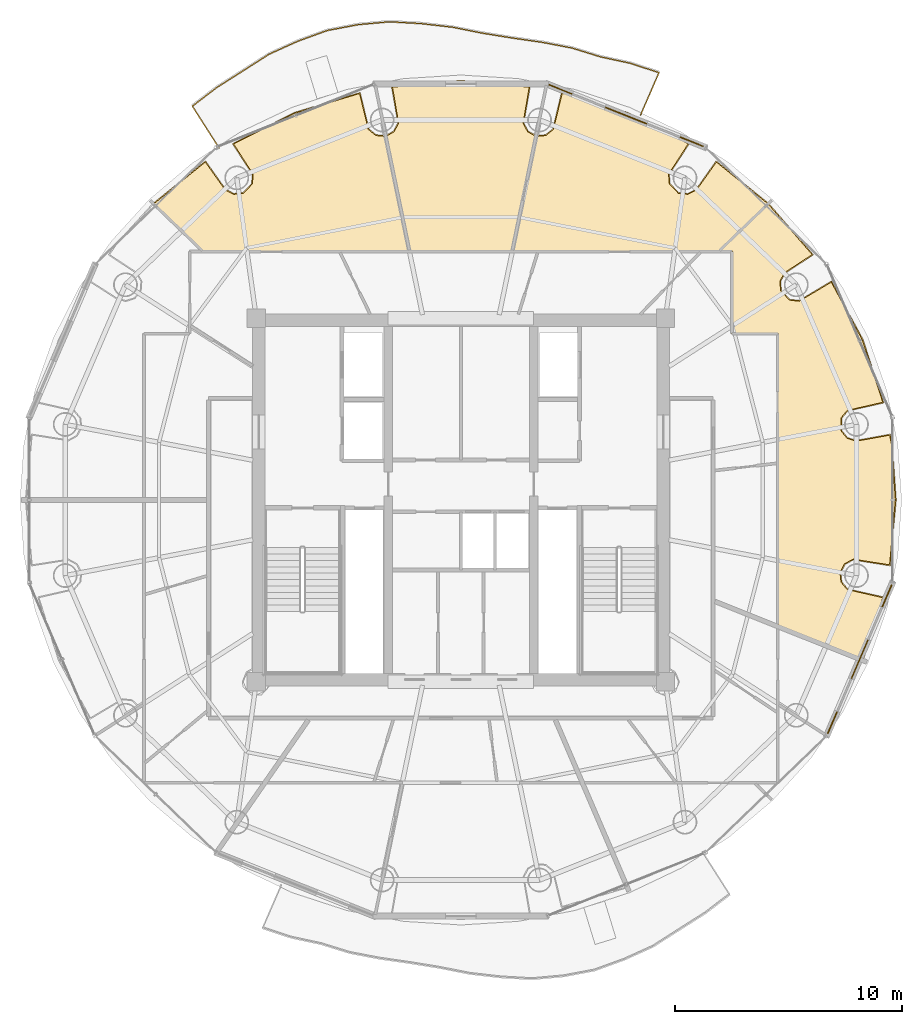
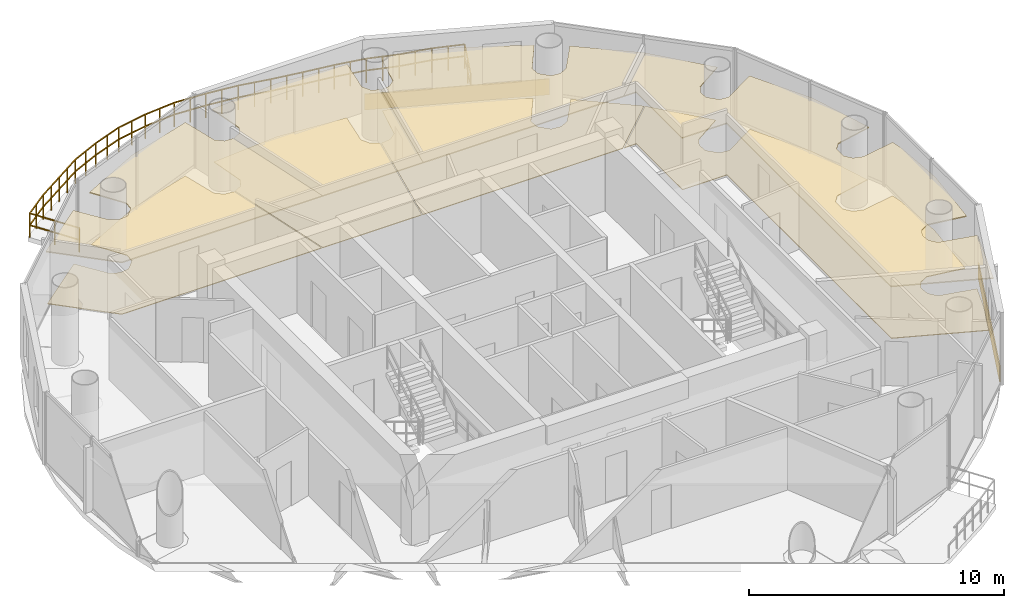
# One storey, part 24 of 24: 10 coverings, 1 railing.
"""IFC4 building model written with IfcOpenShell, lengths in metres."""

from ifc_helpers import new_model, si_unit, direction, frame, origin, origin_2d, place, context, subcontext, project, spatial, polyline, rectangle, outline, extrude, source, transform, mapped, material, layer, layer_set, type_object, element, save


model = new_model("IFC4")

# Units and contexts
model_context = context("Model", 3, precision=1e-05, world=origin(), true_north=direction((-0.2419218956, 0.970295726276)))
body_context = subcontext(model_context, "Body", "Model", "MODEL_VIEW")
ifc_project = project(units=[si_unit("LENGTHUNIT", "METRE"), si_unit("AREAUNIT", "SQUARE_METRE"), si_unit("VOLUMEUNIT", "CUBIC_METRE"), si_unit("PLANEANGLEUNIT", "RADIAN"), si_unit("MASSUNIT", "GRAM", prefix="KILO")], contexts=[model_context])

# Site, building, storey
site_placement = place(None, origin())
site = spatial("IfcSite", under=ifc_project, at=site_placement, CompositionType="ELEMENT")
building_placement = place(site_placement, origin())
building = spatial("IfcBuilding", under=site, at=building_placement, Name="Cobrevalo Terracotta Tower", CompositionType="ELEMENT")
storey_placement = place(building_placement, frame((0.0, 0.0, 278.199951171875)))
storey = spatial("IfcBuildingStorey", under=building, at=storey_placement, Name="L73", CompositionType="ELEMENT", Elevation=278.199951171875)

# Railing
ifc_material_1 = material(Name="Laminated structural glass and stainless steel", Category="steel")
railing_type = type_object("IfcRailingType", Name="Balcony lobe structural glass & terracotta-cap balustrade 1180 mm", PredefinedType="BALUSTRADE", material=ifc_material_1)
railing_placement = place(storey_placement, frame((45.912353515625, 43.744873046875, 0.0)))
element("IfcRailing", 1, at=railing_placement, inside=storey, type_object=railing_type, Name="L73 spiralling balcony lobe balustrade 1", PredefinedType="BALUSTRADE", context=body_context, shape_type="SweptSolid", body=[
    extrude(rectangle(XDim=0.048095703125, YDim=0.048095703125, at=origin_2d()), frame((0.0, 0.0, 1.15576171875), z_axis=(0.398087380581, 0.917347500908, 0.0), x_axis=(-0.917347500908, 0.398087380581, 0.0)), (0.0, 0.0, 1.0), 2.02685546875),
    extrude(rectangle(XDim=0.048095703125, YDim=0.048095703125, at=origin_2d()), frame((0.0, 0.0, 0.58984375), z_axis=(0.398087380581, 0.917347500908, 0.0), x_axis=(-0.917347500908, 0.398087380581, 0.0)), (0.0, 0.0, 1.0), 2.02685546875),
    extrude(rectangle(XDim=0.048095703125, YDim=0.048095703125, at=origin_2d()), frame((0.806884765625, 1.859375, 1.15576171875), z_axis=(-0.950321189707, 0.311271001531, 0.0), x_axis=(-0.311271001531, -0.950321189707, 0.0)), (0.0, 0.0, 1.0), 1.3310546875),
    extrude(rectangle(XDim=0.048095703125, YDim=0.048095703125, at=origin_2d()), frame((0.806884765625, 1.859375, 0.58984375), z_axis=(-0.950321189707, 0.311271001531, 0.0), x_axis=(-0.311271001531, -0.950321189707, 0.0)), (0.0, 0.0, 1.0), 1.3310546875),
    extrude(rectangle(XDim=0.048095703125, YDim=0.048095703125, at=origin_2d()), frame((-0.4580078125, 2.273681640625, 1.15576171875), z_axis=(-0.977571341188, 0.21060454147, 0.0), x_axis=(-0.21060454147, -0.977571341188, 0.0)), (0.0, 0.0, 1.0), 1.3330078125),
    extrude(rectangle(XDim=0.048095703125, YDim=0.048095703125, at=origin_2d()), frame((-0.4580078125, 2.273681640625, 0.58984375), z_axis=(-0.977571341188, 0.21060454147, 0.0), x_axis=(-0.21060454147, -0.977571341188, 0.0)), (0.0, 0.0, 1.0), 1.3330078125),
    extrude(rectangle(XDim=0.048095703125, YDim=0.048095703125, at=origin_2d()), frame((-1.76123046875, 2.554443359375, 1.15576171875), z_axis=(-0.955463212441, 0.295110233087, 0.0), x_axis=(-0.295110233087, -0.955463212441, 0.0)), (0.0, 0.0, 1.0), 1.32275390625),
    extrude(rectangle(XDim=0.048095703125, YDim=0.048095703125, at=origin_2d()), frame((-1.76123046875, 2.554443359375, 0.58984375), z_axis=(-0.955463212441, 0.295110233087, 0.0), x_axis=(-0.295110233087, -0.955463212441, 0.0)), (0.0, 0.0, 1.0), 1.32275390625),
    extrude(rectangle(XDim=0.048095703125, YDim=0.048095703125, at=origin_2d()), frame((-3.025146484375, 2.94482421875, 1.15576171875), z_axis=(-0.982058898368, 0.188574441894, 0.0), x_axis=(-0.188574441894, -0.982058898368, 0.0)), (0.0, 0.0, 1.0), 1.3271484375),
    extrude(rectangle(XDim=0.048095703125, YDim=0.048095703125, at=origin_2d()), frame((-3.025146484375, 2.94482421875, 0.58984375), z_axis=(-0.982058898368, 0.188574441894, 0.0), x_axis=(-0.188574441894, -0.982058898368, 0.0)), (0.0, 0.0, 1.0), 1.3271484375),
    extrude(rectangle(XDim=0.048095703125, YDim=0.048095703125, at=origin_2d()), frame((-4.328369140625, 3.195068359375, 1.15576171875), z_axis=(-0.989831224707, 0.142246780617, 0.0), x_axis=(-0.142246780617, -0.989831224707, 0.0)), (0.0, 0.0, 1.0), 1.324951171875),
    extrude(rectangle(XDim=0.048095703125, YDim=0.048095703125, at=origin_2d()), frame((-4.328369140625, 3.195068359375, 0.58984375), z_axis=(-0.989831224707, 0.142246780617, 0.0), x_axis=(-0.142246780617, -0.989831224707, 0.0)), (0.0, 0.0, 1.0), 1.324951171875),
    extrude(rectangle(XDim=0.048095703125, YDim=0.048095703125, at=origin_2d()), frame((-5.639892578125, 3.383544921875, 1.15576171875), z_axis=(-0.98712418566, 0.159955750396, 0.0), x_axis=(-0.159955750396, -0.98712418566, 0.0)), (0.0, 0.0, 1.0), 1.337158203125),
    extrude(rectangle(XDim=0.048095703125, YDim=0.048095703125, at=origin_2d()), frame((-5.639892578125, 3.383544921875, 0.58984375), z_axis=(-0.98712418566, 0.159955750396, 0.0), x_axis=(-0.159955750396, -0.98712418566, 0.0)), (0.0, 0.0, 1.0), 1.337158203125),
    extrude(rectangle(XDim=0.048095703125, YDim=0.048095703125, at=origin_2d()), frame((-6.959716796875, 3.597412109375, 1.15576171875), z_axis=(-0.980875690963, 0.194635245724, 0.0), x_axis=(-0.194635245724, -0.980875690963, 0.0)), (0.0, 0.0, 1.0), 1.363525390625),
    extrude(rectangle(XDim=0.048095703125, YDim=0.048095703125, at=origin_2d()), frame((-6.959716796875, 3.597412109375, 0.58984375), z_axis=(-0.980875690963, 0.194635245724, 0.0), x_axis=(-0.194635245724, -0.980875690963, 0.0)), (0.0, 0.0, 1.0), 1.363525390625),
    extrude(rectangle(XDim=0.048095703125, YDim=0.048095703125, at=origin_2d()), frame((-8.297119140625, 3.86279296875, 1.15576171875), z_axis=(-0.993503455487, 0.113801950494, 0.0), x_axis=(-0.113801950494, -0.993503455487, 0.0)), (0.0, 0.0, 1.0), 1.375244140625),
    extrude(rectangle(XDim=0.048095703125, YDim=0.048095703125, at=origin_2d()), frame((-8.297119140625, 3.86279296875, 0.58984375), z_axis=(-0.993503455487, 0.113801950494, 0.0), x_axis=(-0.113801950494, -0.993503455487, 0.0)), (0.0, 0.0, 1.0), 1.375244140625),
    extrude(rectangle(XDim=0.048095703125, YDim=0.048095703125, at=origin_2d()), frame((-9.663330078125, 4.019287109375, 1.15576171875), z_axis=(-0.998374196063, 0.056999689784, 0.0), x_axis=(-0.056999689784, -0.998374196063, 0.0)), (0.0, 0.0, 1.0), 1.3876953125),
    extrude(rectangle(XDim=0.048095703125, YDim=0.048095703125, at=origin_2d()), frame((-9.663330078125, 4.019287109375, 0.58984375), z_axis=(-0.998374196063, 0.056999689784, 0.0), x_axis=(-0.056999689784, -0.998374196063, 0.0)), (0.0, 0.0, 1.0), 1.3876953125),
    extrude(rectangle(XDim=0.048095703125, YDim=0.048095703125, at=origin_2d()), frame((-11.048828125, 4.098388671875, 1.15576171875), z_axis=(-0.995897542782, -0.090488033908, 0.0), x_axis=(0.090488033908, -0.995897542782, 0.0)), (0.0, 0.0, 1.0), 1.384033203125),
    extrude(rectangle(XDim=0.048095703125, YDim=0.048095703125, at=origin_2d()), frame((-11.048828125, 4.098388671875, 0.58984375), z_axis=(-0.995897542782, -0.090488033908, 0.0), x_axis=(0.090488033908, -0.995897542782, 0.0)), (0.0, 0.0, 1.0), 1.384033203125),
    extrude(rectangle(XDim=0.048095703125, YDim=0.048095703125, at=origin_2d()), frame((-12.42724609375, 3.97314453125, 1.15576171875), z_axis=(-0.982716156849, -0.185118759363, 0.0), x_axis=(0.185118759363, -0.982716156849, 0.0)), (0.0, 0.0, 1.0), 1.384765625),
    extrude(rectangle(XDim=0.048095703125, YDim=0.048095703125, at=origin_2d()), frame((-12.42724609375, 3.97314453125, 0.58984375), z_axis=(-0.982716156849, -0.185118759363, 0.0), x_axis=(0.185118759363, -0.982716156849, 0.0)), (0.0, 0.0, 1.0), 1.384765625),
    extrude(rectangle(XDim=0.048095703125, YDim=0.048095703125, at=origin_2d()), frame((-13.7880859375, 3.716796875, 1.15576171875), z_axis=(-0.939783125098, -0.341771382331, 0.0), x_axis=(0.341771382331, -0.939783125098, 0.0)), (0.0, 0.0, 1.0), 1.38427734375),
    extrude(rectangle(XDim=0.048095703125, YDim=0.048095703125, at=origin_2d()), frame((-13.7880859375, 3.716796875, 0.58984375), z_axis=(-0.939783125098, -0.341771382331, 0.0), x_axis=(0.341771382331, -0.939783125098, 0.0)), (0.0, 0.0, 1.0), 1.38427734375),
    extrude(rectangle(XDim=0.048095703125, YDim=0.048095703125, at=origin_2d()), frame((-15.089111328125, 3.24365234375, 1.15576171875), z_axis=(-0.911327761932, -0.411681564236, 0.0), x_axis=(0.411681564236, -0.911327761932, 0.0)), (0.0, 0.0, 1.0), 1.37939453125),
    extrude(rectangle(XDim=0.048095703125, YDim=0.048095703125, at=origin_2d()), frame((-15.089111328125, 3.24365234375, 0.58984375), z_axis=(-0.911327761932, -0.411681564236, 0.0), x_axis=(0.411681564236, -0.911327761932, 0.0)), (0.0, 0.0, 1.0), 1.37939453125),
    extrude(rectangle(XDim=0.048095703125, YDim=0.048095703125, at=origin_2d()), frame((-16.34619140625, 2.67578125, 1.15576171875), z_axis=(-0.842618217068, -0.538511411454, 0.0), x_axis=(0.538511411454, -0.842618217068, 0.0)), (0.0, 0.0, 1.0), 1.380126953125),
    extrude(rectangle(XDim=0.048095703125, YDim=0.048095703125, at=origin_2d()), frame((-16.34619140625, 2.67578125, 0.58984375), z_axis=(-0.842618217068, -0.538511411454, 0.0), x_axis=(0.538511411454, -0.842618217068, 0.0)), (0.0, 0.0, 1.0), 1.380126953125),
    extrude(rectangle(XDim=0.048095703125, YDim=0.048095703125, at=origin_2d()), frame((-17.509033203125, 1.9326171875, 1.15576171875), z_axis=(-0.844223136338, -0.535991880603, 0.0), x_axis=(0.535991880603, -0.844223136338, 0.0)), (0.0, 0.0, 1.0), 1.359130859375),
    extrude(rectangle(XDim=0.048095703125, YDim=0.048095703125, at=origin_2d()), frame((-17.509033203125, 1.9326171875, 0.58984375), z_axis=(-0.844223136338, -0.535991880603, 0.0), x_axis=(0.535991880603, -0.844223136338, 0.0)), (0.0, 0.0, 1.0), 1.359130859375),
    extrude(rectangle(XDim=0.048095703125, YDim=0.048095703125, at=origin_2d()), frame((-18.656494140625, 1.2041015625, 1.15576171875), z_axis=(-0.794737667574, -0.606953078696, 0.0), x_axis=(0.606953078696, -0.794737667574, 0.0)), (0.0, 0.0, 1.0), 1.349609375),
    extrude(rectangle(XDim=0.048095703125, YDim=0.048095703125, at=origin_2d()), frame((-18.656494140625, 1.2041015625, 0.58984375), z_axis=(-0.794737667574, -0.606953078696, 0.0), x_axis=(0.606953078696, -0.794737667574, 0.0)), (0.0, 0.0, 1.0), 1.349609375),
    extrude(rectangle(XDim=0.048095703125, YDim=0.048095703125, at=origin_2d()), frame((-19.72900390625, 0.385009765625, 1.15576171875), z_axis=(0.538208984918, -0.842811419331, 0.0), x_axis=(0.842811419331, 0.538208984918, 0.0)), (0.0, 0.0, 1.0), 2.1904296875),
    extrude(rectangle(XDim=0.048095703125, YDim=0.048095703125, at=origin_2d()), frame((-19.72900390625, 0.385009765625, 0.58984375), z_axis=(0.538208984918, -0.842811419331, 0.0), x_axis=(0.842811419331, 0.538208984918, 0.0)), (0.0, 0.0, 1.0), 2.1904296875),
    extrude(rectangle(XDim=0.0419921875, YDim=0.0419921875, at=origin_2d()), origin(), (0.0, 0.0, 1.0), 1.1318359375),
    extrude(rectangle(XDim=0.0419921875, YDim=0.0419921875, at=origin_2d()), frame((0.4033203125, 0.9296875, 0.0)), (0.0, 0.0, 1.0), 1.1318359375),
    extrude(rectangle(XDim=0.0419921875, YDim=0.0419921875, at=origin_2d()), frame((0.806884765625, 1.859375, 0.0)), (0.0, 0.0, 1.0), 1.1318359375),
    extrude(rectangle(XDim=0.0419921875, YDim=0.0419921875, at=origin_2d()), frame((0.17431640625, 2.06640625, 0.0)), (0.0, 0.0, 1.0), 1.1318359375),
    extrude(rectangle(XDim=0.0419921875, YDim=0.0419921875, at=origin_2d()), frame((-0.4580078125, 2.273681640625, 0.0)), (0.0, 0.0, 1.0), 1.1318359375),
    extrude(rectangle(XDim=0.0419921875, YDim=0.0419921875, at=origin_2d()), frame((-1.109619140625, 2.4140625, 0.0)), (0.0, 0.0, 1.0), 1.1318359375),
    extrude(rectangle(XDim=0.0419921875, YDim=0.0419921875, at=origin_2d()), frame((-1.76123046875, 2.554443359375, 0.0)), (0.0, 0.0, 1.0), 1.1318359375),
    extrude(rectangle(XDim=0.0419921875, YDim=0.0419921875, at=origin_2d()), frame((-2.39306640625, 2.74951171875, 0.0)), (0.0, 0.0, 1.0), 1.1318359375),
    extrude(rectangle(XDim=0.0419921875, YDim=0.0419921875, at=origin_2d()), frame((-3.025146484375, 2.94482421875, 0.0)), (0.0, 0.0, 1.0), 1.1318359375),
    extrude(rectangle(XDim=0.0419921875, YDim=0.0419921875, at=origin_2d()), frame((-3.6767578125, 3.06982421875, 0.0)), (0.0, 0.0, 1.0), 1.1318359375),
    extrude(rectangle(XDim=0.0419921875, YDim=0.0419921875, at=origin_2d()), frame((-4.328369140625, 3.195068359375, 0.0)), (0.0, 0.0, 1.0), 1.1318359375),
    extrude(rectangle(XDim=0.0419921875, YDim=0.0419921875, at=origin_2d()), frame((-4.984130859375, 3.289306640625, 0.0)), (0.0, 0.0, 1.0), 1.1318359375),
    extrude(rectangle(XDim=0.0419921875, YDim=0.0419921875, at=origin_2d()), frame((-5.639892578125, 3.383544921875, 0.0)), (0.0, 0.0, 1.0), 1.1318359375),
    extrude(rectangle(XDim=0.0419921875, YDim=0.0419921875, at=origin_2d()), frame((-6.2998046875, 3.490478515625, 0.0)), (0.0, 0.0, 1.0), 1.1318359375),
    extrude(rectangle(XDim=0.0419921875, YDim=0.0419921875, at=origin_2d()), frame((-6.959716796875, 3.597412109375, 0.0)), (0.0, 0.0, 1.0), 1.1318359375),
    extrude(rectangle(XDim=0.0419921875, YDim=0.0419921875, at=origin_2d()), frame((-7.62841796875, 3.72998046875, 0.0)), (0.0, 0.0, 1.0), 1.1318359375),
    extrude(rectangle(XDim=0.0419921875, YDim=0.0419921875, at=origin_2d()), frame((-8.297119140625, 3.86279296875, 0.0)), (0.0, 0.0, 1.0), 1.1318359375),
    extrude(rectangle(XDim=0.0419921875, YDim=0.0419921875, at=origin_2d()), frame((-8.980224609375, 3.94091796875, 0.0)), (0.0, 0.0, 1.0), 1.1318359375),
    extrude(rectangle(XDim=0.0419921875, YDim=0.0419921875, at=origin_2d()), frame((-9.663330078125, 4.019287109375, 0.0)), (0.0, 0.0, 1.0), 1.1318359375),
    extrude(rectangle(XDim=0.0419921875, YDim=0.0419921875, at=origin_2d()), frame((-10.35595703125, 4.058837890625, 0.0)), (0.0, 0.0, 1.0), 1.1318359375),
    extrude(rectangle(XDim=0.0419921875, YDim=0.0419921875, at=origin_2d()), frame((-11.048828125, 4.098388671875, 0.0)), (0.0, 0.0, 1.0), 1.1318359375),
    extrude(rectangle(XDim=0.0419921875, YDim=0.0419921875, at=origin_2d()), frame((-11.738037109375, 4.03564453125, 0.0)), (0.0, 0.0, 1.0), 1.1318359375),
    extrude(rectangle(XDim=0.0419921875, YDim=0.0419921875, at=origin_2d()), frame((-12.42724609375, 3.97314453125, 0.0)), (0.0, 0.0, 1.0), 1.1318359375),
    extrude(rectangle(XDim=0.0419921875, YDim=0.0419921875, at=origin_2d()), frame((-13.107666015625, 3.844970703125, 0.0)), (0.0, 0.0, 1.0), 1.1318359375),
    extrude(rectangle(XDim=0.0419921875, YDim=0.0419921875, at=origin_2d()), frame((-13.7880859375, 3.716796875, 0.0)), (0.0, 0.0, 1.0), 1.1318359375),
    extrude(rectangle(XDim=0.0419921875, YDim=0.0419921875, at=origin_2d()), frame((-14.4384765625, 3.480224609375, 0.0)), (0.0, 0.0, 1.0), 1.1318359375),
    extrude(rectangle(XDim=0.0419921875, YDim=0.0419921875, at=origin_2d()), frame((-15.089111328125, 3.24365234375, 0.0)), (0.0, 0.0, 1.0), 1.1318359375),
    extrude(rectangle(XDim=0.0419921875, YDim=0.0419921875, at=origin_2d()), frame((-15.7177734375, 2.959716796875, 0.0)), (0.0, 0.0, 1.0), 1.1318359375),
    extrude(rectangle(XDim=0.0419921875, YDim=0.0419921875, at=origin_2d()), frame((-16.34619140625, 2.67578125, 0.0)), (0.0, 0.0, 1.0), 1.1318359375),
    extrude(rectangle(XDim=0.0419921875, YDim=0.0419921875, at=origin_2d()), frame((-16.927734375, 2.30419921875, 0.0)), (0.0, 0.0, 1.0), 1.1318359375),
    extrude(rectangle(XDim=0.0419921875, YDim=0.0419921875, at=origin_2d()), frame((-17.509033203125, 1.9326171875, 0.0)), (0.0, 0.0, 1.0), 1.1318359375),
    extrude(rectangle(XDim=0.0419921875, YDim=0.0419921875, at=origin_2d()), frame((-18.082763671875, 1.568359375, 0.0)), (0.0, 0.0, 1.0), 1.1318359375),
    extrude(rectangle(XDim=0.0419921875, YDim=0.0419921875, at=origin_2d()), frame((-18.656494140625, 1.2041015625, 0.0)), (0.0, 0.0, 1.0), 1.1318359375),
    extrude(rectangle(XDim=0.0419921875, YDim=0.0419921875, at=origin_2d()), frame((-19.19287109375, 0.79443359375, 0.0)), (0.0, 0.0, 1.0), 1.1318359375),
    extrude(rectangle(XDim=0.0419921875, YDim=0.0419921875, at=origin_2d()), frame((-19.72900390625, 0.385009765625, 0.0)), (0.0, 0.0, 1.0), 1.1318359375),
    extrude(rectangle(XDim=0.0419921875, YDim=0.0419921875, at=origin_2d()), frame((-19.1396484375, -0.5380859375, 0.0)), (0.0, 0.0, 1.0), 1.1318359375),
    extrude(rectangle(XDim=0.0419921875, YDim=0.0419921875, at=origin_2d()), frame((-18.550048828125, -1.461181640625, 0.0)), (0.0, 0.0, 1.0), 1.1318359375),
])

# Coverings
ifc_material_2 = material(Name="Engineered Brazilian hardwood flooring", Category="wood")
ifc_layer_1 = layer(ifc_material_2, 0.028076171875)
ifc_layer_set_1 = layer_set([ifc_layer_1], Name="Engineered Brazilian hardwood flooring")
covering_type_1 = type_object("IfcCoveringType", Name="Engineered Hardwood Suite Flooring 28", PredefinedType="FLOORING", material=ifc_layer_set_1)
covering_1_placement = place(storey_placement, origin())
element("IfcCovering", 2, at=covering_1_placement, inside=storey, type_object=covering_type_1, Name="Flat L73A Living and Dining Room floor finish", PredefinedType="FLOORING", context=body_context, shape_type="SweptSolid", body=[
    extrude(outline(polyline([(51.52978515625, 39.81396484375), (53.4560546875, 37.599365234375), (52.2451171875, 36.805419921875), (52.035400390625, 36.43017578125), (52.06982421875, 36.001953125), (52.462890625, 35.593994140625), (52.8896484375, 35.5439453125), (54.300048828125, 36.382568359375), (55.66455078125, 33.848876953125), (56.56494140625, 31.1005859375), (55.00244140625, 30.74462890625), (54.727294921875, 30.41455078125), (54.72314453125, 29.84814453125), (54.9931640625, 29.51416015625), (55.4033203125, 29.38623046875), (56.8642578125, 29.65087890625), (56.956298828125, 29.2041015625), (57.119873046875, 26.800048828125), (56.8642578125, 23.948974609375), (55.259033203125, 24.198486328125), (54.881591796875, 23.9931640625), (54.681884765625, 23.612548828125), (54.727294921875, 23.185302734375), (55.00244140625, 22.855224609375), (56.56494140625, 22.49951171875), (55.669921875, 19.766357421875), (51.965087890625, 21.245849609375), (51.965087890625, 34.139892578125), (49.955078125, 34.139892578125), (49.955078125, 37.7548828125), (49.393798828125, 37.7548828125), (51.52978515625, 39.81396484375)])), origin(), (0.0, 0.0, 1.0), 0.030029296875),
])
covering_2_placement = place(storey_placement, origin())
element("IfcCovering", 3, at=covering_2_placement, inside=storey, type_object=covering_type_1, Name="Flat L73A Master Bedroom floor finish", PredefinedType="FLOORING", context=body_context, shape_type="SweptSolid", body=[
    extrude(outline(polyline([(41.321533203125, 42.796630859375), (41.74072265625, 42.83642578125), (42.074951171875, 43.1064453125), (42.45947265625, 44.68603515625), (42.94873046875, 44.59228515625), (45.317138671875, 43.817626953125), (47.99853515625, 42.4697265625), (47.138427734375, 41.134521484375), (47.17236328125, 40.706298828125), (47.5654296875, 40.29833984375), (47.9921875, 40.248046875), (48.374755859375, 40.443603515625), (49.243896484375, 41.668212890625), (51.50048828125, 39.841064453125), (49.336181640625, 37.7548828125), (40.281005859375, 37.7548828125), (41.321533203125, 42.796630859375)])), origin(), (0.0, 0.0, 1.0), 0.030029296875),
])
covering_3_placement = place(storey_placement, origin())
element("IfcCovering", 4, at=covering_3_placement, inside=storey, type_object=covering_type_1, Name="Flat L73A Principal Guest Bedroom floor finish", PredefinedType="FLOORING", context=body_context, shape_type="SweptSolid", body=[
    extrude(outline(polyline([(34.71728515625, 42.80712890625), (35.064453125, 43.003173828125), (35.26416015625, 43.3837890625), (34.994140625, 44.964599609375), (38.0, 45.219970703125), (41.005859375, 44.964599609375), (40.73583984375, 43.3837890625), (40.935546875, 43.003173828125), (41.28271484375, 42.80712890625), (40.240234375, 37.7548828125), (35.759765625, 37.7548828125), (34.71728515625, 42.80712890625)])), origin(), (0.0, 0.0, 1.0), 0.030029296875),
])
covering_4_placement = place(storey_placement, origin())
element("IfcCovering", 5, at=covering_4_placement, inside=storey, type_object=covering_type_1, Name="Flat L73A Penthouse Family Lounge floor finish", PredefinedType="FLOORING", context=body_context, shape_type="SweptSolid", body=[
    extrude(outline(polyline([(24.49951171875, 39.841064453125), (26.756103515625, 41.668212890625), (27.625244140625, 40.443603515625), (28.0078125, 40.248046875), (28.4345703125, 40.29833984375), (28.82763671875, 40.706298828125), (28.861572265625, 41.134521484375), (28.00146484375, 42.4697265625), (30.682861328125, 43.817626953125), (33.54052734375, 44.68603515625), (33.925048828125, 43.1064453125), (34.25927734375, 42.83642578125), (34.678466796875, 42.796630859375), (35.718994140625, 37.7548828125), (26.663818359375, 37.7548828125), (24.49951171875, 39.841064453125)])), origin(), (0.0, 0.0, 1.0), 0.030029296875),
])
ifc_material_3 = material(Name="Acoustic perforated gypsum ceiling", Category="gypsum")
ifc_layer_2 = layer(ifc_material_3, 0.050048828125)
ifc_layer_set_2 = layer_set([ifc_layer_2], Name="Acoustic perforated gypsum ceiling")
covering_type_2 = type_object("IfcCoveringType", Name="Perforated Acoustic Gypsum Ceiling 50", PredefinedType="CEILING", material=ifc_layer_set_2)
covering_5_placement = place(storey_placement, frame((0.0, 0.0, 2.5)))
element("IfcCovering", 6, at=covering_5_placement, inside=storey, type_object=covering_type_2, Name="Flat L73A Living and Dining Room acoustic ceiling", PredefinedType="CEILING", context=body_context, shape_type="SweptSolid", body=[
    extrude(outline(polyline([(51.531982421875, 39.87841796875), (53.51953125, 37.586669921875), (52.2763671875, 36.772705078125), (52.07958984375, 36.420654296875), (52.11181640625, 36.0185546875), (52.48095703125, 35.635498046875), (52.881591796875, 35.588623046875), (54.312255859375, 36.44384765625), (55.7060546875, 33.86669921875), (56.6181640625, 31.06494140625), (55.02734375, 30.70703125), (54.76904296875, 30.39697265625), (54.764892578125, 29.865234375), (55.0185546875, 29.551513671875), (55.40380859375, 29.431396484375), (56.899169921875, 29.703369140625), (57.0009765625, 29.210205078125), (57.1650390625, 26.800048828125), (56.899169921875, 23.896484375), (55.268310546875, 24.154296875), (54.913818359375, 23.96142578125), (54.726318359375, 23.60400390625), (54.76904296875, 23.202880859375), (55.02734375, 22.89306640625), (56.6181640625, 22.53515625), (55.69677734375, 19.707275390625), (51.919921875, 21.21533203125), (51.919921875, 34.094970703125), (49.909912109375, 34.094970703125), (49.909912109375, 37.7099609375), (49.282470703125, 37.7099609375), (51.531982421875, 39.87841796875)])), origin(), (0.0, 0.0, 1.0), 0.050048828125),
])
covering_6_placement = place(storey_placement, frame((0.0, 0.0, 2.5)))
element("IfcCovering", 7, at=covering_6_placement, inside=storey, type_object=covering_type_2, Name="Flat L73A Master Bedroom acoustic ceiling", PredefinedType="CEILING", context=body_context, shape_type="SweptSolid", body=[
    extrude(outline(polyline([(41.28564453125, 42.845703125), (41.7236328125, 42.87841796875), (42.03759765625, 43.1318359375), (42.424560546875, 44.738525390625), (42.9599609375, 44.635986328125), (45.333740234375, 43.859619140625), (48.062255859375, 42.482421875), (47.1826171875, 41.124755859375), (47.214599609375, 40.72265625), (47.58349609375, 40.339599609375), (47.984130859375, 40.292724609375), (48.343505859375, 40.47607421875), (49.231689453125, 41.7294921875), (51.567626953125, 39.84326171875), (49.3544921875, 37.7099609375), (40.225830078125, 37.7099609375), (41.28564453125, 42.845703125)])), origin(), (0.0, 0.0, 1.0), 0.050048828125),
])
covering_7_placement = place(storey_placement, frame((0.0, 0.0, 2.5)))
element("IfcCovering", 8, at=covering_7_placement, inside=storey, type_object=covering_type_2, Name="Flat L73A Principal Guest Bedroom acoustic ceiling", PredefinedType="CEILING", context=body_context, shape_type="SweptSolid", body=[
    extrude(outline(polyline([(34.6650390625, 42.837890625), (35.0322265625, 43.034912109375), (35.2197265625, 43.39208984375), (34.94091796875, 45.000244140625), (38.0, 45.26513671875), (41.05908203125, 45.000244140625), (40.7802734375, 43.39208984375), (40.9677734375, 43.034912109375), (41.3349609375, 42.837890625), (40.27685546875, 37.7099609375), (35.72314453125, 37.7099609375), (34.6650390625, 42.837890625)])), origin(), (0.0, 0.0, 1.0), 0.050048828125),
])
covering_8_placement = place(storey_placement, frame((0.0, 0.0, 2.5)))
element("IfcCovering", 9, at=covering_8_placement, inside=storey, type_object=covering_type_2, Name="Flat L73A Penthouse Family Lounge acoustic ceiling", PredefinedType="CEILING", context=body_context, shape_type="SweptSolid", body=[
    extrude(outline(polyline([(24.432373046875, 39.84326171875), (26.768310546875, 41.7294921875), (27.656494140625, 40.47607421875), (28.015869140625, 40.292724609375), (28.41650390625, 40.339599609375), (28.785400390625, 40.72265625), (28.8173828125, 41.124755859375), (27.937744140625, 42.482421875), (30.666259765625, 43.859619140625), (33.575439453125, 44.738525390625), (33.96240234375, 43.1318359375), (34.2763671875, 42.87841796875), (34.71435546875, 42.845703125), (35.774169921875, 37.7099609375), (26.6455078125, 37.7099609375), (24.432373046875, 39.84326171875)])), origin(), (0.0, 0.0, 1.0), 0.050048828125),
])
ifc_material_4 = material(Name="Glazed terracotta facade cladding tile", Category="masonry")
ifc_layer_3 = layer(ifc_material_4, 0.044921875)
ifc_layer_set_3 = layer_set([ifc_layer_3], Name="Glazed terracotta facade cladding tile")
covering_type_3 = type_object("IfcCoveringType", Name="Architectural terracotta rainscreen spandrel cladding 45 mm", PredefinedType="CLADDING", material=ifc_layer_set_3)
shared_shape_1 = source(origin(), body_context, "Body", "SweptSolid", [
    extrude(rectangle(XDim=7.125244140625, YDim=0.044921875, at=origin_2d()), origin(), (0.0, 0.0, 1.0), 0.760009765625),
])
covering_9_placement = place(storey_placement, frame((55.5517578125, 19.79248046875, 0.0400390625), z_axis=(0.0, 0.0, 1.0), x_axis=(0.394828845134, 0.918754691444, 0.0)))
element("IfcCovering", 10, at=covering_9_placement, inside=storey, type_object=covering_type_3, Name="L73 terracotta spandrel cladding S15", PredefinedType="CLADDING", context=body_context, shape_type="MappedRepresentation", body=[
    mapped(shared_shape_1, transform((0.0, 0.0, 0.0), scale=1.0)),
])
shared_shape_2 = source(origin(), body_context, "Body", "SweptSolid", [
    extrude(rectangle(XDim=7.318359375, YDim=0.044921875, at=origin_2d()), origin(), (0.0, 0.0, 1.0), 0.760009765625),
])
covering_10_placement = place(storey_placement, frame((45.270263671875, 43.71728515625, 0.0400390625), z_axis=(0.0, 0.0, 1.0), x_axis=(-0.92871833374, 0.370785998353, 0.0)))
element("IfcCovering", 11, at=covering_10_placement, inside=storey, type_object=covering_type_3, Name="L73 terracotta spandrel cladding S03", PredefinedType="CLADDING", context=body_context, shape_type="MappedRepresentation", body=[
    mapped(shared_shape_2, transform((0.0, 0.0, 0.0), scale=1.0)),
])

save(model, "model.ifc")
